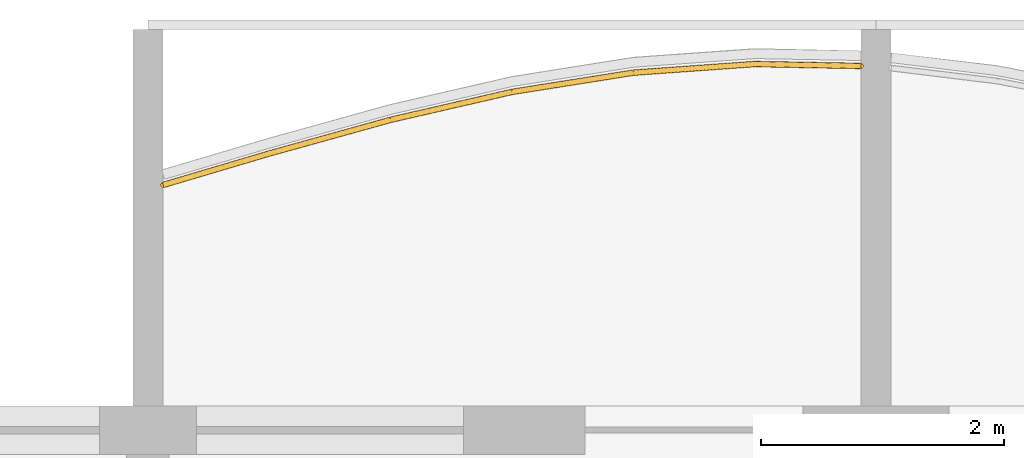
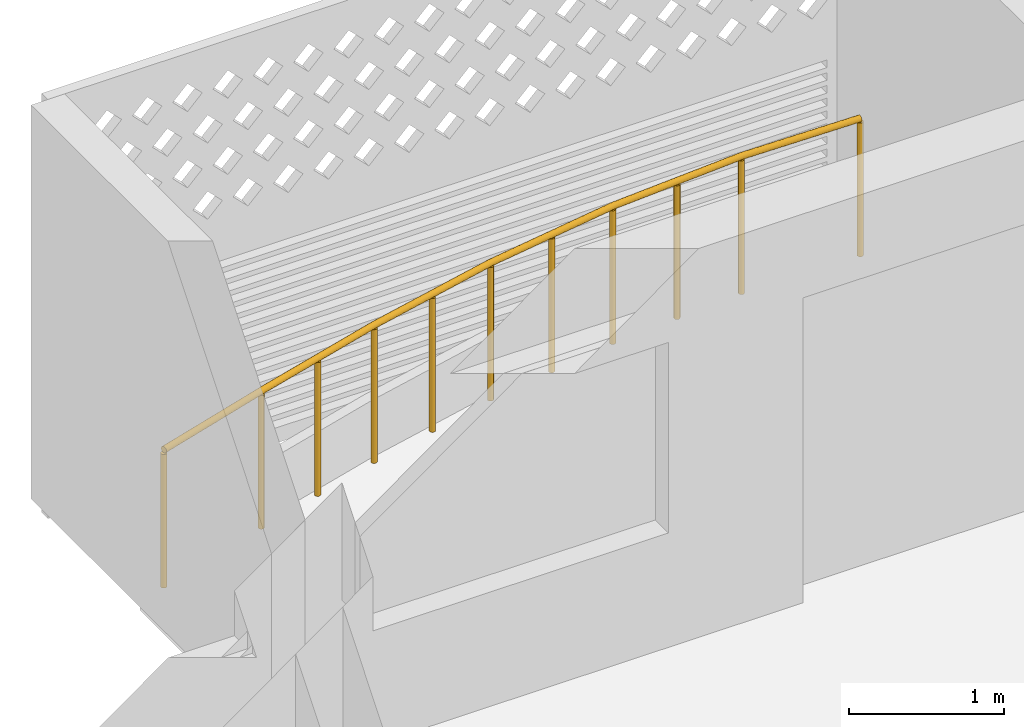
# One storey, part 21 of 31: 1 railing.
"""IFC4 building model written with IfcOpenShell, lengths in metres."""

from ifc_helpers import new_model, si_unit, direction, frame, origin, origin_2d, place, context, subcontext, project, spatial, circle, extrude, material, type_object, element, save


model = new_model("IFC4")

# Units and contexts
model_context = context("Model", 3, precision=1e-05, world=origin(), true_north=direction((0.0, 1.0)))
body_context = subcontext(model_context, "Body", "Model", "MODEL_VIEW")
ifc_project = project(units=[si_unit("LENGTHUNIT", "METRE"), si_unit("AREAUNIT", "SQUARE_METRE"), si_unit("VOLUMEUNIT", "CUBIC_METRE"), si_unit("PLANEANGLEUNIT", "RADIAN"), si_unit("MASSUNIT", "GRAM", prefix="KILO")], contexts=[model_context])

# Site, building, storey
site_placement = place(None, origin())
site = spatial("IfcSite", under=ifc_project, at=site_placement, CompositionType="ELEMENT")
building_placement = place(site_placement, origin())
building = spatial("IfcBuilding", under=site, at=building_placement, Name="Poui Terraces", CompositionType="ELEMENT")
storey_placement = place(building_placement, frame((0.0, 0.0, 82.800048828125)))
storey = spatial("IfcBuildingStorey", under=building, at=storey_placement, Name="L22", CompositionType="ELEMENT", Elevation=82.800048828125)

# Railing
ifc_material = material(Name="Painted steel fretwork", Category="steel")
railing_type = type_object("IfcRailingType", Name="BALCONY GUARD 1100", PredefinedType="GUARDRAIL", material=ifc_material)
railing_placement = place(storey_placement, frame((24.125, 45.62060546875, 0.0)))
element("IfcRailing", 1, at=railing_placement, inside=storey, type_object=railing_type, Name="BALCONY GUARD", PredefinedType="GUARDRAIL", context=body_context, shape_type="SweptSolid", body=[
    extrude(circle(Radius=0.02392578125, at=origin_2d()), frame((0.0, 0.0, 1.076171875), z_axis=(0.9587927149, 0.284106546658, 0.0), x_axis=(-0.284106546658, 0.9587927149, 0.0)), (0.0, 0.0, 1.0), 0.91259765625),
    extrude(circle(Radius=0.02392578125, at=origin_2d()), frame((0.875, 0.25927734375, 1.076171875), z_axis=(0.963565078544, 0.267473997633, 0.0), x_axis=(-0.267473997633, 0.963565078544, 0.0)), (0.0, 0.0, 1.0), 1.037841796875),
    extrude(circle(Radius=0.02392578125, at=origin_2d()), frame((1.875, 0.536865234375, 1.076171875), z_axis=(0.974559344395, 0.224129614849, 0.0), x_axis=(-0.224129614849, 0.974559344395, 0.0)), (0.0, 0.0, 1.0), 1.026123046875),
    extrude(circle(Radius=0.02392578125, at=origin_2d()), frame((2.875, 0.766845703125, 1.076171875), z_axis=(0.9876787513, 0.156494997459, 0.0), x_axis=(-0.156494997459, 0.9876787513, 0.0)), (0.0, 0.0, 1.0), 1.012451171875),
    extrude(circle(Radius=0.02392578125, at=origin_2d()), frame((3.875, 0.92529296875, 1.076171875), z_axis=(0.997485823051, 0.07086630237, 0.0), x_axis=(-0.07086630237, 0.997485823051, 0.0)), (0.0, 0.0, 1.0), 1.00244140625),
    extrude(circle(Radius=0.02392578125, at=origin_2d()), frame((4.875, 0.996337890625, 1.076171875), z_axis=(0.999840599345, -0.017854296417, 0.0), x_axis=(0.017854296417, 0.999840599345, 0.0)), (0.0, 0.0, 1.0), 0.875244140625),
    extrude(circle(Radius=0.02099609375, at=origin_2d()), origin(), (0.0, 0.0, 1.0), 1.052001953125),
    extrude(circle(Radius=0.02099609375, at=origin_2d()), frame((0.875, 0.25927734375, 0.0)), (0.0, 0.0, 1.0), 1.052001953125),
    extrude(circle(Radius=0.02099609375, at=origin_2d()), frame((1.375, 0.39794921875, 0.0)), (0.0, 0.0, 1.0), 1.052001953125),
    extrude(circle(Radius=0.02099609375, at=origin_2d()), frame((1.875, 0.536865234375, 0.0)), (0.0, 0.0, 1.0), 1.052001953125),
    extrude(circle(Radius=0.02099609375, at=origin_2d()), frame((2.375, 0.65185546875, 0.0)), (0.0, 0.0, 1.0), 1.052001953125),
    extrude(circle(Radius=0.02099609375, at=origin_2d()), frame((2.875, 0.766845703125, 0.0)), (0.0, 0.0, 1.0), 1.052001953125),
    extrude(circle(Radius=0.02099609375, at=origin_2d()), frame((3.375, 0.84619140625, 0.0)), (0.0, 0.0, 1.0), 1.052001953125),
    extrude(circle(Radius=0.02099609375, at=origin_2d()), frame((3.875, 0.92529296875, 0.0)), (0.0, 0.0, 1.0), 1.052001953125),
    extrude(circle(Radius=0.02099609375, at=origin_2d()), frame((4.375, 0.9609375, 0.0)), (0.0, 0.0, 1.0), 1.052001953125),
    extrude(circle(Radius=0.02099609375, at=origin_2d()), frame((4.875, 0.996337890625, 0.0)), (0.0, 0.0, 1.0), 1.052001953125),
    extrude(circle(Radius=0.02099609375, at=origin_2d()), frame((5.75, 0.980712890625, 0.0)), (0.0, 0.0, 1.0), 1.052001953125),
])

save(model, "model.ifc")
